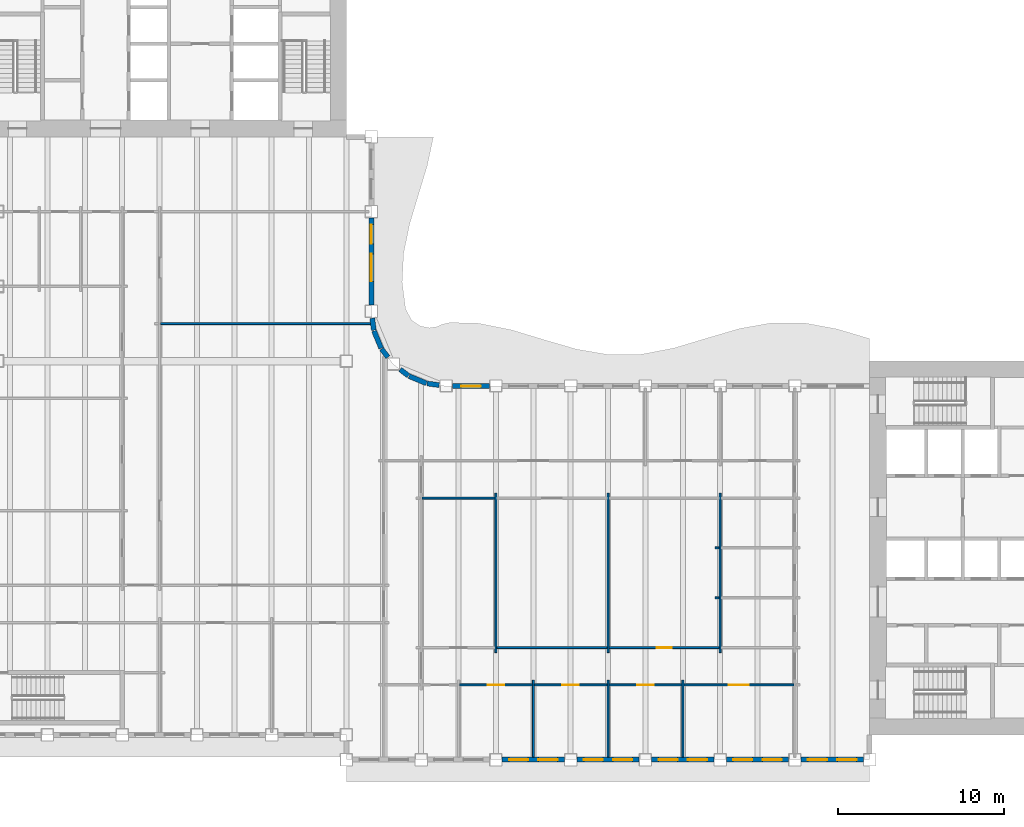
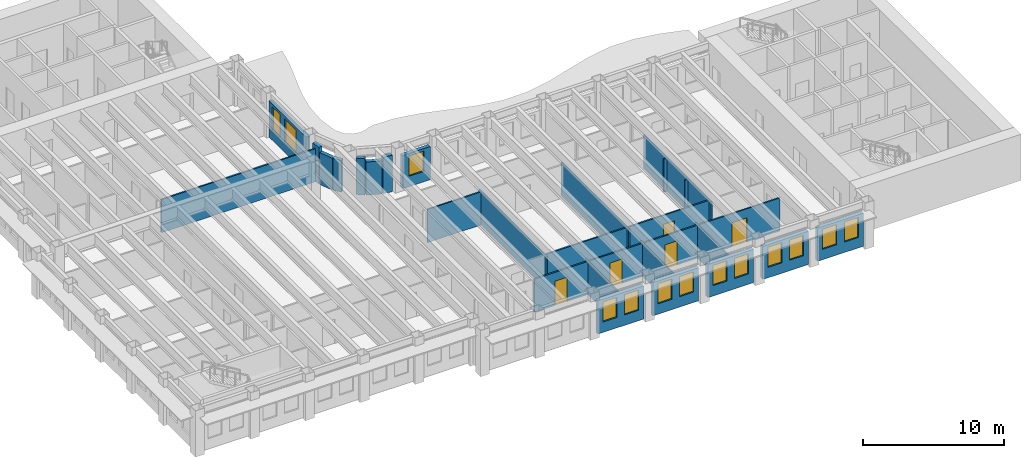
# One storey, part 5 of 17: 29 walls, 13 windows, 5 doors, 18 openings.
"""IFC4 building model written with IfcOpenShell, lengths in metres."""

from ifc_helpers import new_model, si_unit, direction, frame, frame_2d, origin, place, context, subcontext, project, spatial, rectangle, extrude, material, layer, layer_set, type_object, element, fill, save


model = new_model("IFC4")

# Units and contexts
model_context = context("Model", 3, precision=1e-05, world=origin(), true_north=direction((0.0, 1.0)))
body_context = subcontext(model_context, "Body", "Model", "MODEL_VIEW")
ifc_project = project(units=[si_unit("LENGTHUNIT", "METRE"), si_unit("AREAUNIT", "SQUARE_METRE"), si_unit("VOLUMEUNIT", "CUBIC_METRE"), si_unit("PLANEANGLEUNIT", "RADIAN"), si_unit("MASSUNIT", "GRAM", prefix="KILO")], contexts=[model_context])

# Site, building, storey
site_placement = place(None, origin())
site = spatial("IfcSite", under=ifc_project, at=site_placement, CompositionType="ELEMENT")
building_placement = place(site_placement, origin())
building = spatial("IfcBuilding", under=site, at=building_placement, Name="Sennacour Bend Tower", CompositionType="ELEMENT")
storey_placement = place(building_placement, frame((0.0, 0.0, 219.0)))
storey = spatial("IfcBuildingStorey", under=building, at=storey_placement, Name="L50", CompositionType="ELEMENT", Elevation=219.0)

# Walls
ifc_material_1 = material(Name="Plasterboard partition on steel studs", Category="steel")
ifc_layer_1 = layer(ifc_material_1, 0.1201171875, Name="Plasterboard partition on steel studs", Category="steel")
ifc_layer_set_1 = layer_set([ifc_layer_1], Name="Plasterboard partition on steel studs")
wall_type_1 = type_object("IfcWallType", Name="Partition 120", PredefinedType="PARTITIONING", material=ifc_layer_set_1)
wall_1_placement = place(storey_placement, frame((31.5, 4.949951171875, 0.0), z_axis=(0.0, 0.0, 1.0), x_axis=(0.0, 1.0, 0.0)))
element("IfcWall", 1, at=wall_1_placement, inside=storey, type_object=wall_type_1, Name="P-L50-W025a", PredefinedType="PARTITIONING", context=body_context, shape_type="SweptSolid", body=[
    extrude(rectangle(XDim=9.60009765625, YDim=0.1201171875, at=frame_2d((4.800048828125, 0.0))), origin(), (0.0, 0.0, 1.0), 2.8701171875),
])
for number, where, z_axis, x_axis, name in (
    (2, (33.75, -1.35009765625, 0.0), (0.0, 0.0, 1.0), (0.0, 1.0, 0.0), "P-L50-W026a"),
    (3, (38.25, -1.35009765625, 0.0), (0.0, 0.0, 1.0), (0.0, 1.0, 0.0), "P-L50-W027a"),
):
    element("IfcWall", number, at=place(storey_placement, frame(where, z_axis=z_axis, x_axis=x_axis)), inside=storey, type_object=wall_type_1, Name=name, PredefinedType="PARTITIONING", context=body_context, shape_type="SweptSolid", body=[
        extrude(rectangle(XDim=4.650146484375, YDim=0.1201171875, at=frame_2d((2.3251953125, 0.0))), origin(), (0.0, 0.0, 1.0), 2.8701171875),
    ])
wall_2_placement = place(storey_placement, frame((38.25, 4.949951171875, 0.0), z_axis=(0.0, 0.0, 1.0), x_axis=(0.0, 1.0, 0.0)))
element("IfcWall", 4, at=wall_2_placement, inside=storey, type_object=wall_type_1, Name="P-L50-W028a", PredefinedType="PARTITIONING", context=body_context, shape_type="SweptSolid", body=[
    extrude(rectangle(XDim=9.60009765625, YDim=0.1201171875, at=frame_2d((4.800048828125, 0.0))), origin(), (0.0, 0.0, 1.0), 2.8701171875),
])
wall_3_placement = place(storey_placement, frame((42.75, -1.35009765625, 0.0), z_axis=(0.0, 0.0, 1.0), x_axis=(0.0, 1.0, 0.0)))
element("IfcWall", 5, at=wall_3_placement, inside=storey, type_object=wall_type_1, Name="P-L50-W030a", PredefinedType="PARTITIONING", context=body_context, shape_type="SweptSolid", body=[
    extrude(rectangle(XDim=4.650146484375, YDim=0.1201171875, at=frame_2d((2.3251953125, 0.0))), origin(), (0.0, 0.0, 1.0), 2.8701171875),
])
wall_4_placement = place(storey_placement, frame((45.0, 4.949951171875, 0.0), z_axis=(0.0, 0.0, 1.0), x_axis=(0.0, 1.0, 0.0)))
element("IfcWall", 6, at=wall_4_placement, inside=storey, type_object=wall_type_1, Name="P-L50-W031a", PredefinedType="PARTITIONING", context=body_context, shape_type="SweptSolid", body=[
    extrude(rectangle(XDim=9.60009765625, YDim=0.1201171875, at=frame_2d((4.800048828125, 0.0))), origin(), (0.0, 0.0, 1.0), 2.8701171875),
])

# Wall, opening, door
wall_5_placement = place(storey_placement, frame((29.31005859375, 3.0, 0.0), z_axis=(0.0, 0.0, 1.0), x_axis=(1.0, 0.0, 0.0)))
wall_5 = element("IfcWall", 7, at=wall_5_placement, inside=storey, type_object=wall_type_1, Name="P-L50-W050ad", PredefinedType="PARTITIONING", context=body_context, shape_type="SweptSolid", body=[
    extrude(rectangle(XDim=4.3798828125, YDim=0.1201171875, at=frame_2d((2.18994140625, 0.0))), origin(), (0.0, 0.0, 1.0), 2.8701171875),
])
opening_1_placement = place(wall_5_placement, frame((1.68994140625, 0.0, 0.0)))
opening_1 = element("IfcOpeningElement", 8, at=opening_1_placement, cuts=wall_5, Name="Opening OD2", PredefinedType="OPENING", context=body_context, shape_type="SweptSolid", body=[
    extrude(rectangle(XDim=1.0, YDim=2.10009765625, at=frame_2d((0.5, 1.050048828125))), frame((0.0, 0.070068359375, 0.0), z_axis=(0.0, -1.0, 0.0), x_axis=(1.0, 0.0, 0.0)), (0.0, 0.0, 1.0), 0.14013671875),
])
ifc_material_2 = material(Name="Timber", Category="wood")
door_type_1 = type_object("IfcDoorType", Name="DR-OFFICE-1000", OperationType="NOTDEFINED", PredefinedType="DOOR", material=ifc_material_2)
door_1_placement = place(opening_1_placement, origin())
door_1 = element("IfcDoor", 9, at=door_1_placement, inside=storey, type_object=door_type_1, Name="Door", OperationType="SINGLE_SWING_LEFT", OverallHeight=2.10009765625, OverallWidth=1.0, PredefinedType="DOOR", context=body_context, shape_type="SweptSolid", body=[
    extrude(rectangle(XDim=1.0, YDim=2.10009765625, at=frame_2d((0.5, 1.050048828125))), frame((0.0, 0.02490234375, 0.0), z_axis=(0.0, -1.0, 0.0), x_axis=(1.0, 0.0, 0.0)), (0.0, 0.0, 1.0), 0.050048828125),
])
fill(opening_1, door_1)

wall_6_placement = place(storey_placement, frame((33.81005859375, 3.0, 0.0), z_axis=(0.0, 0.0, 1.0), x_axis=(1.0, 0.0, 0.0)))
wall_6 = element("IfcWall", 10, at=wall_6_placement, inside=storey, type_object=wall_type_1, Name="P-L50-W050ae", PredefinedType="PARTITIONING", context=body_context, shape_type="SweptSolid", body=[
    extrude(rectangle(XDim=4.3798828125, YDim=0.1201171875, at=frame_2d((2.18994140625, 0.0))), origin(), (0.0, 0.0, 1.0), 2.8701171875),
])
opening_2_placement = place(wall_6_placement, frame((1.68994140625, 0.0, 0.0)))
opening_2 = element("IfcOpeningElement", 11, at=opening_2_placement, cuts=wall_6, Name="Opening OD2", PredefinedType="OPENING", context=body_context, shape_type="SweptSolid", body=[
    extrude(rectangle(XDim=1.0, YDim=2.10009765625, at=frame_2d((0.5, 1.050048828125))), frame((0.0, 0.070068359375, 0.0), z_axis=(0.0, -1.0, 0.0), x_axis=(1.0, 0.0, 0.0)), (0.0, 0.0, 1.0), 0.14013671875),
])
door_2_placement = place(opening_2_placement, origin())
door_2 = element("IfcDoor", 12, at=door_2_placement, inside=storey, type_object=door_type_1, Name="Door", OperationType="SINGLE_SWING_LEFT", OverallHeight=2.10009765625, OverallWidth=1.0, PredefinedType="DOOR", context=body_context, shape_type="SweptSolid", body=[
    extrude(rectangle(XDim=1.0, YDim=2.10009765625, at=frame_2d((0.5, 1.050048828125))), frame((0.0, 0.02490234375, 0.0), z_axis=(0.0, -1.0, 0.0), x_axis=(1.0, 0.0, 0.0)), (0.0, 0.0, 1.0), 0.050048828125),
])
fill(opening_2, door_2)

wall_7_placement = place(storey_placement, frame((38.31005859375, 3.0, 0.0), z_axis=(0.0, 0.0, 1.0), x_axis=(1.0, 0.0, 0.0)))
wall_7 = element("IfcWall", 13, at=wall_7_placement, inside=storey, type_object=wall_type_1, Name="P-L50-W050af", PredefinedType="PARTITIONING", context=body_context, shape_type="SweptSolid", body=[
    extrude(rectangle(XDim=4.3798828125, YDim=0.1201171875, at=frame_2d((2.18994140625, 0.0))), origin(), (0.0, 0.0, 1.0), 2.8701171875),
])
opening_3_placement = place(wall_7_placement, frame((1.68994140625, 0.0, 0.0)))
opening_3 = element("IfcOpeningElement", 14, at=opening_3_placement, cuts=wall_7, Name="Opening OD2", PredefinedType="OPENING", context=body_context, shape_type="SweptSolid", body=[
    extrude(rectangle(XDim=1.0, YDim=2.10009765625, at=frame_2d((0.5, 1.050048828125))), frame((0.0, 0.070068359375, 0.0), z_axis=(0.0, -1.0, 0.0), x_axis=(1.0, 0.0, 0.0)), (0.0, 0.0, 1.0), 0.14013671875),
])
door_3_placement = place(opening_3_placement, origin())
door_3 = element("IfcDoor", 15, at=door_3_placement, inside=storey, type_object=door_type_1, Name="Door", OperationType="SINGLE_SWING_LEFT", OverallHeight=2.10009765625, OverallWidth=1.0, PredefinedType="DOOR", context=body_context, shape_type="SweptSolid", body=[
    extrude(rectangle(XDim=1.0, YDim=2.10009765625, at=frame_2d((0.5, 1.050048828125))), frame((0.0, 0.02490234375, 0.0), z_axis=(0.0, -1.0, 0.0), x_axis=(1.0, 0.0, 0.0)), (0.0, 0.0, 1.0), 0.050048828125),
])
fill(opening_3, door_3)

wall_8_placement = place(storey_placement, frame((42.81005859375, 3.0, 0.0), z_axis=(0.0, 0.0, 1.0), x_axis=(1.0, 0.0, 0.0)))
wall_8 = element("IfcWall", 16, at=wall_8_placement, inside=storey, type_object=wall_type_1, Name="P-L50-W050ag", PredefinedType="PARTITIONING", context=body_context, shape_type="SweptSolid", body=[
    extrude(rectangle(XDim=6.6298828125, YDim=0.1201171875, at=frame_2d((3.31494140625, 0.0))), origin(), (0.0, 0.0, 1.0), 2.8701171875),
])
opening_4_placement = place(wall_8_placement, frame((2.71484375, 0.0, 0.0)))
opening_4 = element("IfcOpeningElement", 17, at=opening_4_placement, cuts=wall_8, Name="Opening OD", PredefinedType="OPENING", context=body_context, shape_type="SweptSolid", body=[
    extrude(rectangle(XDim=1.199951171875, YDim=2.10009765625, at=frame_2d((0.60009765625, 1.050048828125))), frame((0.0, 0.070068359375, 0.0), z_axis=(0.0, -1.0, 0.0), x_axis=(1.0, 0.0, 0.0)), (0.0, 0.0, 1.0), 0.14013671875),
])
door_type_2 = type_object("IfcDoorType", Name="DR-OFFICE-1200", OperationType="NOTDEFINED", PredefinedType="DOOR", material=ifc_material_2)
door_4_placement = place(opening_4_placement, origin())
door_4 = element("IfcDoor", 18, at=door_4_placement, inside=storey, type_object=door_type_2, Name="Door", OperationType="SINGLE_SWING_LEFT", OverallHeight=2.10009765625, OverallWidth=1.199951171875, PredefinedType="DOOR", context=body_context, shape_type="SweptSolid", body=[
    extrude(rectangle(XDim=1.199951171875, YDim=2.10009765625, at=frame_2d((0.60009765625, 1.050048828125))), frame((0.0, 0.02490234375, 0.0), z_axis=(0.0, -1.0, 0.0), x_axis=(1.0, 0.0, 0.0)), (0.0, 0.0, 1.0), 0.050048828125),
])
fill(opening_4, door_4)

# Walls
wall_9_placement = place(storey_placement, frame((31.56005859375, 5.25, 0.0), z_axis=(0.0, 0.0, 1.0), x_axis=(1.0, 0.0, 0.0)))
element("IfcWall", 19, at=wall_9_placement, inside=storey, type_object=wall_type_1, Name="P-L50-W056ac", PredefinedType="PARTITIONING", context=body_context, shape_type="SweptSolid", body=[
    extrude(rectangle(XDim=6.6298828125, YDim=0.1201171875, at=frame_2d((3.31494140625, 0.0))), origin(), (0.0, 0.0, 1.0), 2.8701171875),
])
for number, where, z_axis, x_axis, name in (
    (20, (44.699951171875, 8.25, 0.0), (0.0, 0.0, 1.0), (1.0, 0.0, 0.0), "P-L50-W059aa"),
    (21, (44.699951171875, 11.25, 0.0), (0.0, 0.0, 1.0), (1.0, 0.0, 0.0), "P-L50-W062aa"),
):
    element("IfcWall", number, at=place(storey_placement, frame(where, z_axis=z_axis, x_axis=x_axis)), inside=storey, type_object=wall_type_1, Name=name, PredefinedType="PARTITIONING", context=body_context, shape_type="SweptSolid", body=[
        extrude(rectangle(XDim=0.239990234375, YDim=0.1201171875, at=frame_2d((0.1201171875, 0.0))), origin(), (0.0, 0.0, 1.0), 2.8701171875),
    ])
wall_10_placement = place(storey_placement, frame((27.06005859375, 14.25, 0.0), z_axis=(0.0, 0.0, 1.0), x_axis=(1.0, 0.0, 0.0)))
element("IfcWall", 22, at=wall_10_placement, inside=storey, type_object=wall_type_1, Name="P-L50-W065ab", PredefinedType="PARTITIONING", context=body_context, shape_type="SweptSolid", body=[
    extrude(rectangle(XDim=4.3798828125, YDim=0.1201171875, at=frame_2d((2.18994140625, 0.0))), origin(), (0.0, 0.0, 1.0), 2.8701171875),
])
wall_11_placement = place(storey_placement, frame((11.31005859375, 24.75, 0.0), z_axis=(0.0, 0.0, 1.0), x_axis=(1.0, 0.0, 0.0)))
element("IfcWall", 23, at=wall_11_placement, inside=storey, type_object=wall_type_1, Name="P-L50-W074ab", PredefinedType="PARTITIONING", context=body_context, shape_type="SweptSolid", body=[
    extrude(rectangle(XDim=12.637451171875, YDim=0.1201171875, at=frame_2d((6.31884765625, 0.0))), origin(), (0.0, 0.0, 1.0), 2.8701171875),
])

# Wall, opening, door
ifc_layer_2 = layer(ifc_material_1, 0.1201171875, Name="Plasterboard partition on steel studs", Category="steel")
ifc_layer_set_2 = layer_set([ifc_layer_2], Name="Plasterboard partition on steel studs")
wall_type_2 = type_object("IfcWallType", Name="Partition 120 EI 60", PredefinedType="PARTITIONING", material=ifc_layer_set_2)
wall_12_placement = place(storey_placement, frame((38.31005859375, 5.25, 0.0), z_axis=(0.0, 0.0, 1.0), x_axis=(1.0, 0.0, 0.0)))
wall_12 = element("IfcWall", 24, at=wall_12_placement, inside=storey, type_object=wall_type_2, Name="P-L50-W056ad", PredefinedType="PARTITIONING", context=body_context, shape_type="SweptSolid", body=[
    extrude(rectangle(XDim=6.6298828125, YDim=0.1201171875, at=frame_2d((3.31494140625, 0.0))), origin(), (0.0, 0.0, 1.0), 2.8701171875),
])
opening_5_placement = place(wall_12_placement, frame((2.864990234375, 0.0, 0.0)))
opening_5 = element("IfcOpeningElement", 25, at=opening_5_placement, cuts=wall_12, Name="Opening SV", PredefinedType="OPENING", context=body_context, shape_type="SweptSolid", body=[
    extrude(rectangle(XDim=0.89990234375, YDim=2.10009765625, at=frame_2d((0.449951171875, 1.050048828125))), frame((0.0, 0.070068359375, 0.0), z_axis=(0.0, -1.0, 0.0), x_axis=(1.0, 0.0, 0.0)), (0.0, 0.0, 1.0), 0.14013671875),
])
ifc_material_3 = material(Name="Painted steel", Category="steel")
door_type_3 = type_object("IfcDoorType", Name="DR-SERVICE-900", OperationType="NOTDEFINED", PredefinedType="DOOR", material=ifc_material_3)
door_5_placement = place(opening_5_placement, origin())
door_5 = element("IfcDoor", 26, at=door_5_placement, inside=storey, type_object=door_type_3, Name="Door", OperationType="SINGLE_SWING_LEFT", OverallHeight=2.10009765625, OverallWidth=0.89990234375, PredefinedType="DOOR", context=body_context, shape_type="SweptSolid", body=[
    extrude(rectangle(XDim=0.89990234375, YDim=2.10009765625, at=frame_2d((0.449951171875, 1.050048828125))), frame((0.0, 0.02490234375, 0.0), z_axis=(0.0, -1.0, 0.0), x_axis=(1.0, 0.0, 0.0)), (0.0, 0.0, 1.0), 0.050048828125),
])
fill(opening_5, door_5)

# Wall, openings, windows
ifc_material_4 = material(Name="Warm limestone cladding", Category="masonry")
ifc_layer_3 = layer(ifc_material_4, 0.050048828125, Name="Warm limestone cladding", Category="masonry")
ifc_material_5 = material(Name="Precast concrete C40/50", Category="concrete")
ifc_layer_4 = layer(ifc_material_5, 0.25, Name="Precast concrete C40/50", Category="concrete")
ifc_layer_set_3 = layer_set([ifc_layer_3, ifc_layer_4], Name="Precast concrete C40/50 with limestone cladding")
wall_type_3 = type_object("IfcWallType", Name="STONE-CLAD PRECAST SPANDREL 300", PredefinedType="STANDARD", material=ifc_layer_set_3)
wall_13_placement = place(storey_placement, frame((31.875, -1.5, 0.0), z_axis=(0.0, 0.0, 1.0), x_axis=(1.0, 0.0, 0.0)))
wall_13 = element("IfcWall", 27, at=wall_13_placement, inside=storey, type_object=wall_type_3, Name="Stone spandrel and pier wall L50 00.02", PredefinedType="STANDARD", context=body_context, shape_type="SweptSolid", body=[
    extrude(rectangle(XDim=3.75, YDim=0.300048828125, at=frame_2d((1.875, 0.0))), origin(), (0.0, 0.0, 1.0), 2.8701171875),
])
opening_6_placement = place(wall_13_placement, frame((0.41259765625, 0.0, 0.89990234375)))
opening_6 = element("IfcOpeningElement", 28, at=opening_6_placement, cuts=wall_13, Name="Opening W23", PredefinedType="OPENING", context=body_context, shape_type="SweptSolid", body=[
    extrude(rectangle(XDim=1.14990234375, YDim=1.75, at=frame_2d((0.574951171875, 0.875))), frame((0.0, 0.16015625, 0.0), z_axis=(0.0, -1.0, 0.0), x_axis=(1.0, 0.0, 0.0)), (0.0, 0.0, 1.0), 0.320068359375),
])
opening_7_placement = place(wall_13_placement, frame((2.1875, 0.0, 0.89990234375)))
opening_7 = element("IfcOpeningElement", 29, at=opening_7_placement, cuts=wall_13, Name="Opening W23", PredefinedType="OPENING", context=body_context, shape_type="SweptSolid", body=[
    extrude(rectangle(XDim=1.14990234375, YDim=1.75, at=frame_2d((0.574951171875, 0.875))), frame((0.0, 0.16015625, 0.0), z_axis=(0.0, -1.0, 0.0), x_axis=(1.0, 0.0, 0.0)), (0.0, 0.0, 1.0), 0.320068359375),
])
ifc_material_6 = material(Name="Clear low-emissivity glass", Category="glass")
window_type_1 = type_object("IfcWindowType", Name="WIN-RIBBON-1150x1750", PartitioningType="SINGLE_PANEL", PredefinedType="WINDOW", material=ifc_material_6)
window_1_placement = place(opening_6_placement, origin())
window_1 = element("IfcWindow", 30, at=window_1_placement, inside=storey, type_object=window_type_1, Name="Ribbon window L50 00.02.0", OverallHeight=1.75, OverallWidth=1.14990234375, PartitioningType="SINGLE_PANEL", PredefinedType="WINDOW", context=body_context, shape_type="SweptSolid", body=[
    extrude(rectangle(XDim=1.14990234375, YDim=1.75, at=frame_2d((0.574951171875, 0.875))), frame((0.0, 0.030029296875, 0.0), z_axis=(0.0, -1.0, 0.0), x_axis=(1.0, 0.0, 0.0)), (0.0, 0.0, 1.0), 0.06005859375),
])
fill(opening_6, window_1)
window_2_placement = place(opening_7_placement, origin())
window_2 = element("IfcWindow", 31, at=window_2_placement, inside=storey, type_object=window_type_1, Name="Ribbon window L50 00.02.1", OverallHeight=1.75, OverallWidth=1.14990234375, PartitioningType="SINGLE_PANEL", PredefinedType="WINDOW", context=body_context, shape_type="SweptSolid", body=[
    extrude(rectangle(XDim=1.14990234375, YDim=1.75, at=frame_2d((0.574951171875, 0.875))), frame((0.0, 0.030029296875, 0.0), z_axis=(0.0, -1.0, 0.0), x_axis=(1.0, 0.0, 0.0)), (0.0, 0.0, 1.0), 0.06005859375),
])
fill(opening_7, window_2)

wall_14_placement = place(storey_placement, frame((36.375, -1.5, 0.0), z_axis=(0.0, 0.0, 1.0), x_axis=(1.0, 0.0, 0.0)))
wall_14 = element("IfcWall", 32, at=wall_14_placement, inside=storey, type_object=wall_type_3, Name="Stone spandrel and pier wall L50 00.03", PredefinedType="STANDARD", context=body_context, shape_type="SweptSolid", body=[
    extrude(rectangle(XDim=3.75, YDim=0.300048828125, at=frame_2d((1.875, 0.0))), origin(), (0.0, 0.0, 1.0), 2.8701171875),
])
opening_8_placement = place(wall_14_placement, frame((0.41259765625, 0.0, 0.89990234375)))
opening_8 = element("IfcOpeningElement", 33, at=opening_8_placement, cuts=wall_14, Name="Opening W23", PredefinedType="OPENING", context=body_context, shape_type="SweptSolid", body=[
    extrude(rectangle(XDim=1.14990234375, YDim=1.75, at=frame_2d((0.574951171875, 0.875))), frame((0.0, 0.16015625, 0.0), z_axis=(0.0, -1.0, 0.0), x_axis=(1.0, 0.0, 0.0)), (0.0, 0.0, 1.0), 0.320068359375),
])
opening_9_placement = place(wall_14_placement, frame((2.1875, 0.0, 0.89990234375)))
opening_9 = element("IfcOpeningElement", 34, at=opening_9_placement, cuts=wall_14, Name="Opening W23", PredefinedType="OPENING", context=body_context, shape_type="SweptSolid", body=[
    extrude(rectangle(XDim=1.14990234375, YDim=1.75, at=frame_2d((0.574951171875, 0.875))), frame((0.0, 0.16015625, 0.0), z_axis=(0.0, -1.0, 0.0), x_axis=(1.0, 0.0, 0.0)), (0.0, 0.0, 1.0), 0.320068359375),
])
window_3_placement = place(opening_8_placement, origin())
window_3 = element("IfcWindow", 35, at=window_3_placement, inside=storey, type_object=window_type_1, Name="Ribbon window L50 00.03.0", OverallHeight=1.75, OverallWidth=1.14990234375, PartitioningType="SINGLE_PANEL", PredefinedType="WINDOW", context=body_context, shape_type="SweptSolid", body=[
    extrude(rectangle(XDim=1.14990234375, YDim=1.75, at=frame_2d((0.574951171875, 0.875))), frame((0.0, 0.030029296875, 0.0), z_axis=(0.0, -1.0, 0.0), x_axis=(1.0, 0.0, 0.0)), (0.0, 0.0, 1.0), 0.06005859375),
])
fill(opening_8, window_3)
window_4_placement = place(opening_9_placement, origin())
window_4 = element("IfcWindow", 36, at=window_4_placement, inside=storey, type_object=window_type_1, Name="Ribbon window L50 00.03.1", OverallHeight=1.75, OverallWidth=1.14990234375, PartitioningType="SINGLE_PANEL", PredefinedType="WINDOW", context=body_context, shape_type="SweptSolid", body=[
    extrude(rectangle(XDim=1.14990234375, YDim=1.75, at=frame_2d((0.574951171875, 0.875))), frame((0.0, 0.030029296875, 0.0), z_axis=(0.0, -1.0, 0.0), x_axis=(1.0, 0.0, 0.0)), (0.0, 0.0, 1.0), 0.06005859375),
])
fill(opening_9, window_4)

wall_15_placement = place(storey_placement, frame((40.875, -1.5, 0.0), z_axis=(0.0, 0.0, 1.0), x_axis=(1.0, 0.0, 0.0)))
wall_15 = element("IfcWall", 37, at=wall_15_placement, inside=storey, type_object=wall_type_3, Name="Stone spandrel and pier wall L50 00.04", PredefinedType="STANDARD", context=body_context, shape_type="SweptSolid", body=[
    extrude(rectangle(XDim=3.75, YDim=0.300048828125, at=frame_2d((1.875, 0.0))), origin(), (0.0, 0.0, 1.0), 2.8701171875),
])
opening_10_placement = place(wall_15_placement, frame((0.41259765625, 0.0, 0.89990234375)))
opening_10 = element("IfcOpeningElement", 38, at=opening_10_placement, cuts=wall_15, Name="Opening W23", PredefinedType="OPENING", context=body_context, shape_type="SweptSolid", body=[
    extrude(rectangle(XDim=1.14990234375, YDim=1.75, at=frame_2d((0.574951171875, 0.875))), frame((0.0, 0.16015625, 0.0), z_axis=(0.0, -1.0, 0.0), x_axis=(1.0, 0.0, 0.0)), (0.0, 0.0, 1.0), 0.320068359375),
])
opening_11_placement = place(wall_15_placement, frame((2.1875, 0.0, 0.89990234375)))
opening_11 = element("IfcOpeningElement", 39, at=opening_11_placement, cuts=wall_15, Name="Opening W23", PredefinedType="OPENING", context=body_context, shape_type="SweptSolid", body=[
    extrude(rectangle(XDim=1.14990234375, YDim=1.75, at=frame_2d((0.574951171875, 0.875))), frame((0.0, 0.16015625, 0.0), z_axis=(0.0, -1.0, 0.0), x_axis=(1.0, 0.0, 0.0)), (0.0, 0.0, 1.0), 0.320068359375),
])
window_5_placement = place(opening_10_placement, origin())
window_5 = element("IfcWindow", 40, at=window_5_placement, inside=storey, type_object=window_type_1, Name="Ribbon window L50 00.04.0", OverallHeight=1.75, OverallWidth=1.14990234375, PartitioningType="SINGLE_PANEL", PredefinedType="WINDOW", context=body_context, shape_type="SweptSolid", body=[
    extrude(rectangle(XDim=1.14990234375, YDim=1.75, at=frame_2d((0.574951171875, 0.875))), frame((0.0, 0.030029296875, 0.0), z_axis=(0.0, -1.0, 0.0), x_axis=(1.0, 0.0, 0.0)), (0.0, 0.0, 1.0), 0.06005859375),
])
fill(opening_10, window_5)
window_6_placement = place(opening_11_placement, origin())
window_6 = element("IfcWindow", 41, at=window_6_placement, inside=storey, type_object=window_type_1, Name="Ribbon window L50 00.04.1", OverallHeight=1.75, OverallWidth=1.14990234375, PartitioningType="SINGLE_PANEL", PredefinedType="WINDOW", context=body_context, shape_type="SweptSolid", body=[
    extrude(rectangle(XDim=1.14990234375, YDim=1.75, at=frame_2d((0.574951171875, 0.875))), frame((0.0, 0.030029296875, 0.0), z_axis=(0.0, -1.0, 0.0), x_axis=(1.0, 0.0, 0.0)), (0.0, 0.0, 1.0), 0.06005859375),
])
fill(opening_11, window_6)

wall_16_placement = place(storey_placement, frame((45.375, -1.5, 0.0), z_axis=(0.0, 0.0, 1.0), x_axis=(1.0, 0.0, 0.0)))
wall_16 = element("IfcWall", 42, at=wall_16_placement, inside=storey, type_object=wall_type_3, Name="Stone spandrel and pier wall L50 00.05", PredefinedType="STANDARD", context=body_context, shape_type="SweptSolid", body=[
    extrude(rectangle(XDim=3.75, YDim=0.300048828125, at=frame_2d((1.875, 0.0))), origin(), (0.0, 0.0, 1.0), 2.8701171875),
])
opening_12_placement = place(wall_16_placement, frame((0.41259765625, 0.0, 0.89990234375)))
opening_12 = element("IfcOpeningElement", 43, at=opening_12_placement, cuts=wall_16, Name="Opening W23", PredefinedType="OPENING", context=body_context, shape_type="SweptSolid", body=[
    extrude(rectangle(XDim=1.14990234375, YDim=1.75, at=frame_2d((0.574951171875, 0.875))), frame((0.0, 0.16015625, 0.0), z_axis=(0.0, -1.0, 0.0), x_axis=(1.0, 0.0, 0.0)), (0.0, 0.0, 1.0), 0.320068359375),
])
opening_13_placement = place(wall_16_placement, frame((2.1875, 0.0, 0.89990234375)))
opening_13 = element("IfcOpeningElement", 44, at=opening_13_placement, cuts=wall_16, Name="Opening W23", PredefinedType="OPENING", context=body_context, shape_type="SweptSolid", body=[
    extrude(rectangle(XDim=1.14990234375, YDim=1.75, at=frame_2d((0.574951171875, 0.875))), frame((0.0, 0.16015625, 0.0), z_axis=(0.0, -1.0, 0.0), x_axis=(1.0, 0.0, 0.0)), (0.0, 0.0, 1.0), 0.320068359375),
])
window_7_placement = place(opening_12_placement, origin())
window_7 = element("IfcWindow", 45, at=window_7_placement, inside=storey, type_object=window_type_1, Name="Ribbon window L50 00.05.0", OverallHeight=1.75, OverallWidth=1.14990234375, PartitioningType="SINGLE_PANEL", PredefinedType="WINDOW", context=body_context, shape_type="SweptSolid", body=[
    extrude(rectangle(XDim=1.14990234375, YDim=1.75, at=frame_2d((0.574951171875, 0.875))), frame((0.0, 0.030029296875, 0.0), z_axis=(0.0, -1.0, 0.0), x_axis=(1.0, 0.0, 0.0)), (0.0, 0.0, 1.0), 0.06005859375),
])
fill(opening_12, window_7)
window_8_placement = place(opening_13_placement, origin())
window_8 = element("IfcWindow", 46, at=window_8_placement, inside=storey, type_object=window_type_1, Name="Ribbon window L50 00.05.1", OverallHeight=1.75, OverallWidth=1.14990234375, PartitioningType="SINGLE_PANEL", PredefinedType="WINDOW", context=body_context, shape_type="SweptSolid", body=[
    extrude(rectangle(XDim=1.14990234375, YDim=1.75, at=frame_2d((0.574951171875, 0.875))), frame((0.0, 0.030029296875, 0.0), z_axis=(0.0, -1.0, 0.0), x_axis=(1.0, 0.0, 0.0)), (0.0, 0.0, 1.0), 0.06005859375),
])
fill(opening_13, window_8)

wall_17_placement = place(storey_placement, frame((49.875, -1.5, 0.0), z_axis=(0.0, 0.0, 1.0), x_axis=(1.0, 0.0, 0.0)))
wall_17 = element("IfcWall", 47, at=wall_17_placement, inside=storey, type_object=wall_type_3, Name="Stone spandrel and pier wall L50 00.06", PredefinedType="STANDARD", context=body_context, shape_type="SweptSolid", body=[
    extrude(rectangle(XDim=3.75, YDim=0.300048828125, at=frame_2d((1.875, 0.0))), origin(), (0.0, 0.0, 1.0), 2.8701171875),
])
opening_14_placement = place(wall_17_placement, frame((0.41259765625, 0.0, 0.89990234375)))
opening_14 = element("IfcOpeningElement", 48, at=opening_14_placement, cuts=wall_17, Name="Opening W23", PredefinedType="OPENING", context=body_context, shape_type="SweptSolid", body=[
    extrude(rectangle(XDim=1.14990234375, YDim=1.75, at=frame_2d((0.574951171875, 0.875))), frame((0.0, 0.16015625, 0.0), z_axis=(0.0, -1.0, 0.0), x_axis=(1.0, 0.0, 0.0)), (0.0, 0.0, 1.0), 0.320068359375),
])
opening_15_placement = place(wall_17_placement, frame((2.1875, 0.0, 0.89990234375)))
opening_15 = element("IfcOpeningElement", 49, at=opening_15_placement, cuts=wall_17, Name="Opening W23", PredefinedType="OPENING", context=body_context, shape_type="SweptSolid", body=[
    extrude(rectangle(XDim=1.14990234375, YDim=1.75, at=frame_2d((0.574951171875, 0.875))), frame((0.0, 0.16015625, 0.0), z_axis=(0.0, -1.0, 0.0), x_axis=(1.0, 0.0, 0.0)), (0.0, 0.0, 1.0), 0.320068359375),
])
window_9_placement = place(opening_14_placement, origin())
window_9 = element("IfcWindow", 50, at=window_9_placement, inside=storey, type_object=window_type_1, Name="Ribbon window L50 00.06.0", OverallHeight=1.75, OverallWidth=1.14990234375, PartitioningType="SINGLE_PANEL", PredefinedType="WINDOW", context=body_context, shape_type="SweptSolid", body=[
    extrude(rectangle(XDim=1.14990234375, YDim=1.75, at=frame_2d((0.574951171875, 0.875))), frame((0.0, 0.030029296875, 0.0), z_axis=(0.0, -1.0, 0.0), x_axis=(1.0, 0.0, 0.0)), (0.0, 0.0, 1.0), 0.06005859375),
])
fill(opening_14, window_9)
window_10_placement = place(opening_15_placement, origin())
window_10 = element("IfcWindow", 51, at=window_10_placement, inside=storey, type_object=window_type_1, Name="Ribbon window L50 00.06.1", OverallHeight=1.75, OverallWidth=1.14990234375, PartitioningType="SINGLE_PANEL", PredefinedType="WINDOW", context=body_context, shape_type="SweptSolid", body=[
    extrude(rectangle(XDim=1.14990234375, YDim=1.75, at=frame_2d((0.574951171875, 0.875))), frame((0.0, 0.030029296875, 0.0), z_axis=(0.0, -1.0, 0.0), x_axis=(1.0, 0.0, 0.0)), (0.0, 0.0, 1.0), 0.06005859375),
])
fill(opening_15, window_10)

# Wall, opening, window
wall_18_placement = place(storey_placement, frame((31.125, 21.0, 0.0), z_axis=(0.0, 0.0, 1.0), x_axis=(-1.0, 0.0, 0.0)))
wall_18 = element("IfcWall", 52, at=wall_18_placement, inside=storey, type_object=wall_type_3, Name="Stone spandrel and pier wall L50 06.05", PredefinedType="STANDARD", context=body_context, shape_type="SweptSolid", body=[
    extrude(rectangle(XDim=2.25, YDim=0.300048828125, at=frame_2d((1.125, 0.0))), origin(), (0.0, 0.0, 1.0), 2.8701171875),
])
opening_16_placement = place(wall_18_placement, frame((0.52490234375, 0.0, 0.89990234375)))
opening_16 = element("IfcOpeningElement", 53, at=opening_16_placement, cuts=wall_18, Name="Opening W16", PredefinedType="OPENING", context=body_context, shape_type="SweptSolid", body=[
    extrude(rectangle(XDim=1.199951171875, YDim=1.75, at=frame_2d((0.60009765625, 0.875))), frame((0.0, 0.16015625, 0.0), z_axis=(0.0, -1.0, 0.0), x_axis=(1.0, 0.0, 0.0)), (0.0, 0.0, 1.0), 0.320068359375),
])
window_type_2 = type_object("IfcWindowType", Name="WIN-RIBBON-1200x1750", PartitioningType="SINGLE_PANEL", PredefinedType="WINDOW", material=ifc_material_6)
window_11_placement = place(opening_16_placement, origin())
window_11 = element("IfcWindow", 54, at=window_11_placement, inside=storey, type_object=window_type_2, Name="Ribbon window L50 06.05", OverallHeight=1.75, OverallWidth=1.199951171875, PartitioningType="SINGLE_PANEL", PredefinedType="WINDOW", context=body_context, shape_type="SweptSolid", body=[
    extrude(rectangle(XDim=1.199951171875, YDim=1.75, at=frame_2d((0.60009765625, 0.875))), frame((0.0, 0.030029296875, 0.0), z_axis=(0.0, -1.0, 0.0), x_axis=(1.0, 0.0, 0.0)), (0.0, 0.0, 1.0), 0.06005859375),
])
fill(opening_16, window_11)

# Walls
wall_19_placement = place(storey_placement, frame((28.0830078125, 21.054931640625, 0.0), z_axis=(0.0, 0.0, 1.0), x_axis=(-0.99142711513, 0.130660917588, 0.0)))
element("IfcWall", 55, at=wall_19_placement, inside=storey, type_object=wall_type_3, Name="Stone spandrel and pier wall L50 07.00", PredefinedType="STANDARD", context=body_context, shape_type="SweptSolid", body=[
    extrude(rectangle(XDim=0.734375, YDim=0.300048828125, at=frame_2d((0.3671875, 0.0))), origin(), (0.0, 0.0, 1.0), 3.156982421875),
])
wall_20_placement = place(storey_placement, frame((27.317138671875, 21.160888671875, 0.0), z_axis=(0.0, 0.0, 1.0), x_axis=(-0.923914616768, 0.382598720491, 0.0)))
element("IfcWall", 56, at=wall_20_placement, inside=storey, type_object=wall_type_3, Name="Stone spandrel and pier wall L50 08.00", PredefinedType="STANDARD", context=body_context, shape_type="SweptSolid", body=[
    extrude(rectangle(XDim=1.13525390625, YDim=0.300048828125, at=frame_2d((0.567626953125, 0.0))), origin(), (0.0, 0.0, 1.0), 2.8701171875),
])
wall_21_placement = place(storey_placement, frame((26.234375, 21.614990234375, 0.0), z_axis=(0.0, 0.0, 1.0), x_axis=(-0.793575131083, 0.608472276547, 0.0)))
element("IfcWall", 57, at=wall_21_placement, inside=storey, type_object=wall_type_3, Name="Stone spandrel and pier wall L50 09.00", PredefinedType="STANDARD", context=body_context, shape_type="SweptSolid", body=[
    extrude(rectangle(XDim=0.629150390625, YDim=0.300048828125, at=frame_2d((0.314453125, 0.0))), origin(), (0.0, 0.0, 1.0), 3.156982421875),
])
wall_22_placement = place(storey_placement, frame((24.997802734375, 22.735107421875, 0.0), z_axis=(0.0, 0.0, 1.0), x_axis=(-0.608472276547, 0.793575131083, 0.0)))
element("IfcWall", 58, at=wall_22_placement, inside=storey, type_object=wall_type_3, Name="Stone spandrel and pier wall L50 10.00", PredefinedType="STANDARD", context=body_context, shape_type="SweptSolid", body=[
    extrude(rectangle(XDim=0.629150390625, YDim=0.300048828125, at=frame_2d((0.314453125, 0.0))), origin(), (0.0, 0.0, 1.0), 2.760009765625),
])
wall_23_placement = place(storey_placement, frame((24.59521484375, 23.268310546875, 0.0), z_axis=(0.0, 0.0, 1.0), x_axis=(-0.382598720491, 0.923914616768, 0.0)))
element("IfcWall", 59, at=wall_23_placement, inside=storey, type_object=wall_type_3, Name="Stone spandrel and pier wall L50 11.00", PredefinedType="STANDARD", context=body_context, shape_type="SweptSolid", body=[
    extrude(rectangle(XDim=1.13525390625, YDim=0.300048828125, at=frame_2d((0.567626953125, 0.0))), origin(), (0.0, 0.0, 1.0), 2.760009765625),
])
wall_24_placement = place(storey_placement, frame((24.15087890625, 24.35498046875, 0.0), z_axis=(0.0, 0.0, 1.0), x_axis=(-0.130660917588, 0.99142711513, 0.0)))
element("IfcWall", 60, at=wall_24_placement, inside=storey, type_object=wall_type_3, Name="Stone spandrel and pier wall L50 12.00", PredefinedType="STANDARD", context=body_context, shape_type="SweptSolid", body=[
    extrude(rectangle(XDim=0.734375, YDim=0.300048828125, at=frame_2d((0.3671875, 0.0))), origin(), (0.0, 0.0, 1.0), 3.156982421875),
])

# Wall, openings, windows
wall_25_placement = place(storey_placement, frame((24.0, 25.875, 0.0), z_axis=(0.0, 0.0, 1.0), x_axis=(0.0, 1.0, 0.0)))
wall_25 = element("IfcWall", 61, at=wall_25_placement, inside=storey, type_object=wall_type_3, Name="Stone spandrel and pier wall L50 13.00", PredefinedType="STANDARD", context=body_context, shape_type="SweptSolid", body=[
    extrude(rectangle(XDim=5.25, YDim=0.300048828125, at=frame_2d((2.625, 0.0))), origin(), (0.0, 0.0, 1.0), 3.156982421875),
])
opening_17_placement = place(wall_25_placement, frame((1.425048828125, 0.0, 0.89990234375)))
opening_17 = element("IfcOpeningElement", 62, at=opening_17_placement, cuts=wall_25, Name="Opening W10", PredefinedType="OPENING", context=body_context, shape_type="SweptSolid", body=[
    extrude(rectangle(XDim=1.64990234375, YDim=2.0, at=frame_2d((0.824951171875, 1.0))), frame((0.0, 0.16015625, 0.0), z_axis=(0.0, -1.0, 0.0), x_axis=(1.0, 0.0, 0.0)), (0.0, 0.0, 1.0), 0.320068359375),
])
opening_18_placement = place(wall_25_placement, frame((3.6875, 0.0, 0.89990234375)))
opening_18 = element("IfcOpeningElement", 63, at=opening_18_placement, cuts=wall_25, Name="Opening W24", PredefinedType="OPENING", context=body_context, shape_type="SweptSolid", body=[
    extrude(rectangle(XDim=1.14990234375, YDim=2.0, at=frame_2d((0.574951171875, 1.0))), frame((0.0, 0.16015625, 0.0), z_axis=(0.0, -1.0, 0.0), x_axis=(1.0, 0.0, 0.0)), (0.0, 0.0, 1.0), 0.320068359375),
])
window_type_3 = type_object("IfcWindowType", Name="WIN-RIBBON-1150x2000", PartitioningType="SINGLE_PANEL", PredefinedType="WINDOW", material=ifc_material_6)
window_12_placement = place(opening_18_placement, origin())
window_12 = element("IfcWindow", 64, at=window_12_placement, inside=storey, type_object=window_type_3, Name="Ribbon window L50 13.00.1", OverallHeight=2.0, OverallWidth=1.14990234375, PartitioningType="SINGLE_PANEL", PredefinedType="WINDOW", context=body_context, shape_type="SweptSolid", body=[
    extrude(rectangle(XDim=1.14990234375, YDim=2.0, at=frame_2d((0.574951171875, 1.0))), frame((0.0, 0.030029296875, 0.0), z_axis=(0.0, -1.0, 0.0), x_axis=(1.0, 0.0, 0.0)), (0.0, 0.0, 1.0), 0.06005859375),
])
fill(opening_18, window_12)
window_type_4 = type_object("IfcWindowType", Name="WIN-RIBBON-1650x2000", PartitioningType="SINGLE_PANEL", PredefinedType="WINDOW", material=ifc_material_6)
window_13_placement = place(opening_17_placement, origin())
window_13 = element("IfcWindow", 65, at=window_13_placement, inside=storey, type_object=window_type_4, Name="Ribbon window L50 13.00.0", OverallHeight=2.0, OverallWidth=1.64990234375, PartitioningType="SINGLE_PANEL", PredefinedType="WINDOW", context=body_context, shape_type="SweptSolid", body=[
    extrude(rectangle(XDim=1.64990234375, YDim=2.0, at=frame_2d((0.824951171875, 1.0))), frame((0.0, 0.030029296875, 0.0), z_axis=(0.0, -1.0, 0.0), x_axis=(1.0, 0.0, 0.0)), (0.0, 0.0, 1.0), 0.06005859375),
])
fill(opening_17, window_13)

save(model, "model.ifc")
